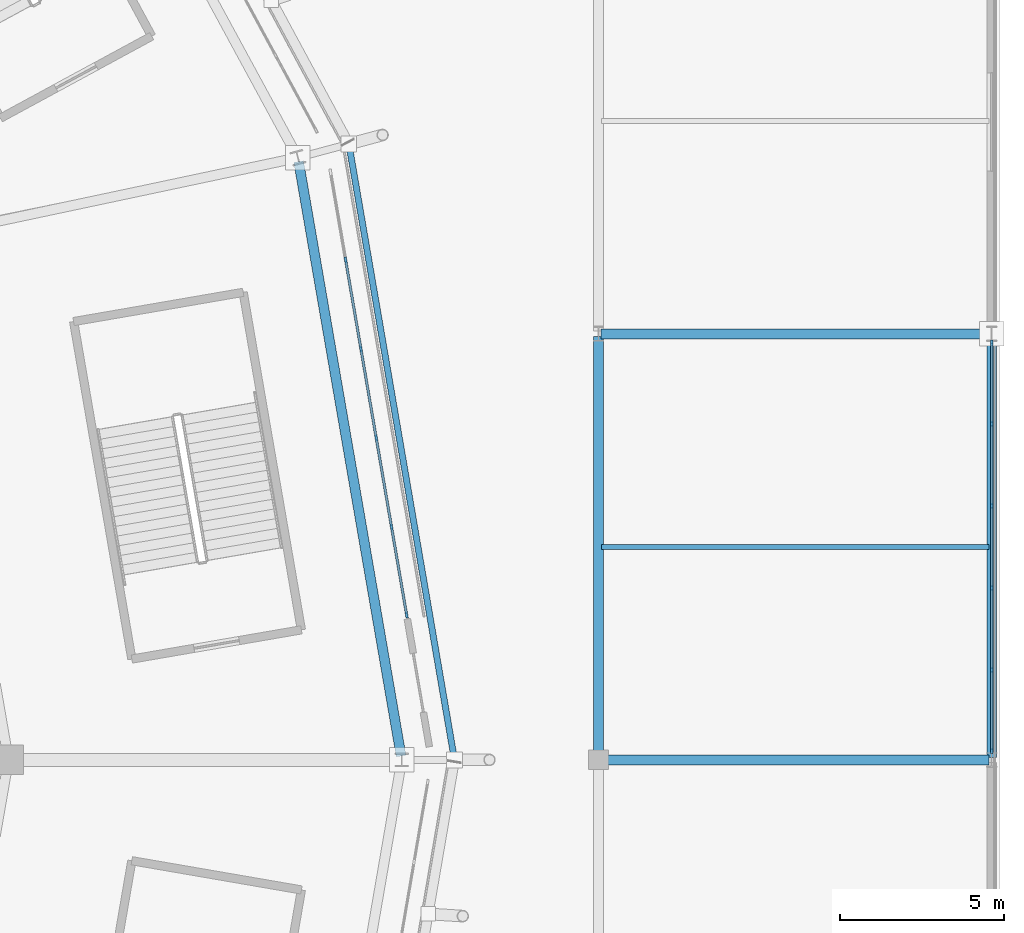
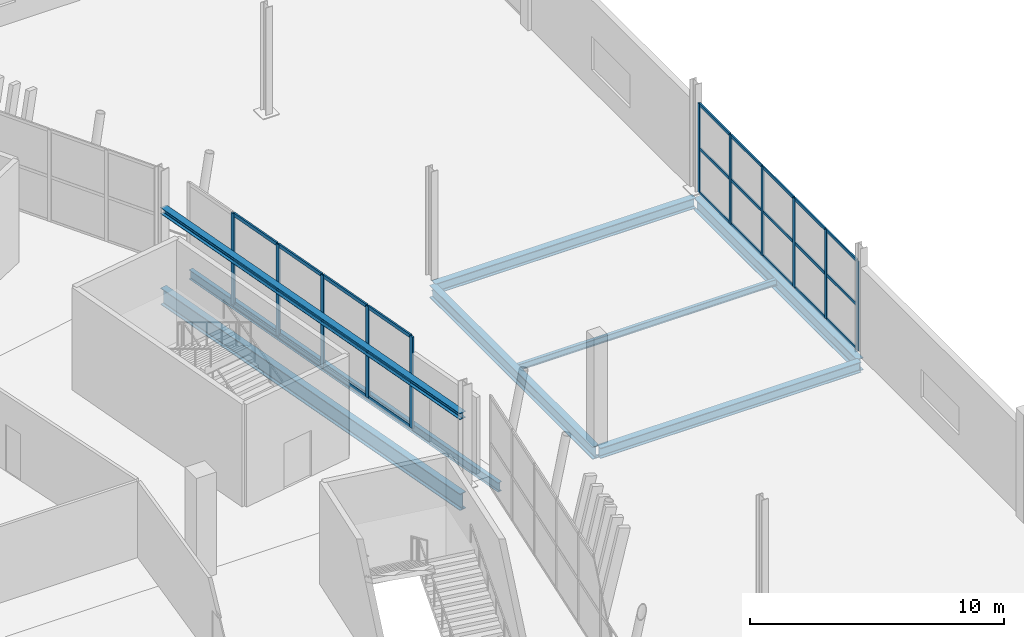
# One storey, part 65 of 178: 38 members, 8 beams, 2 elements without a shape of their own.
"""IFC4 building model written with IfcOpenShell, lengths in metres."""

from ifc_helpers import new_model, si_unit, direction, frame, origin, origin_2d, place, context, subcontext, project, spatial, rectangle, i_section, extrude, material, material_profile, profile_set, type_object, element, aggregate, save


model = new_model("IFC4")

# Units and contexts
model_context = context("Model", 3, precision=1e-05, world=origin(), true_north=direction((0.0, 1.0)))
body_context = subcontext(model_context, "Body", "Model", "MODEL_VIEW")
ifc_project = project(units=[si_unit("LENGTHUNIT", "METRE"), si_unit("AREAUNIT", "SQUARE_METRE"), si_unit("VOLUMEUNIT", "CUBIC_METRE"), si_unit("PLANEANGLEUNIT", "RADIAN"), si_unit("MASSUNIT", "GRAM", prefix="KILO")], contexts=[model_context])

# Site, building, storey
site_placement = place(None, origin())
site = spatial("IfcSite", under=ifc_project, at=site_placement, CompositionType="ELEMENT")
building_placement = place(site_placement, origin())
building = spatial("IfcBuilding", under=site, at=building_placement, Name="Zlatoyarsky Gate Stadium", CompositionType="ELEMENT")
storey_placement = place(building_placement, frame((0.0, 0.0, 5.39990234375)))
storey = spatial("IfcBuildingStorey", under=building, at=storey_placement, Name="L01", CompositionType="ELEMENT", Elevation=5.39990234375)

# Curtain wall, members
ifc_material_1 = material(Name="Thermally broken anodised aluminium curtain wall", Category="aluminium")
curtain_wall_type_1 = type_object("IfcCurtainWallType", Name="MONUMENTAL ARCHED GATE GLAZING LOWER", PredefinedType="USERDEFINED", material=ifc_material_1)
curtain_wall_1_placement = place(storey_placement, origin())
curtain_wall_1 = element("IfcCurtainWall", 1, at=curtain_wall_1_placement, inside=storey, type_object=curtain_wall_type_1, Name="Curtain wall CW-L01-00", ObjectType="ARCHED GATE GLAZING", PredefinedType="USERDEFINED")
ifc_material_2 = material(Name="Anodised aluminium 6063-T6", Category="aluminium")
ifc_material_profile_1 = material_profile(ifc_material_2, rectangle(XDim=0.074951171875, YDim=0.18994140625, at=origin_2d()), Name="ALU 75X190")
ifc_profile_set_1 = profile_set([ifc_material_profile_1], Name="Anodised aluminium 6063-T6")
member_type_1 = type_object("IfcMemberType", Name="ALUMINIUM GATE MULLION 75X190", PredefinedType="MULLION", material=ifc_profile_set_1)
member_1_placement = place(storey_placement, frame((204.148193359375, 84.422607421875, 0.0), z_axis=(0.0, 0.0, 1.0), x_axis=(-0.985538462082, -0.169451880356, 0.0)))
member_1 = element("IfcMember", 2, at=member_1_placement, type_object=member_type_1, Name="CW-AG1 mullion 1", PredefinedType="MULLION", context=body_context, shape_type="SweptSolid", body=[
    extrude(rectangle(XDim=0.074951171875, YDim=0.18994140625, at=origin_2d()), origin(), (0.0, 0.0, 1.0), 4.400146484375),
])
member_2_placement = place(storey_placement, frame((203.687255859375, 87.1025390625, 0.0), z_axis=(0.0, 0.0, 1.0), x_axis=(-0.985538462082, -0.169451880356, 0.0)))
member_2 = element("IfcMember", 3, at=member_2_placement, type_object=member_type_1, Name="CW-AG1 mullion 2", PredefinedType="MULLION", context=body_context, shape_type="SweptSolid", body=[
    extrude(rectangle(XDim=0.074951171875, YDim=0.18994140625, at=origin_2d()), origin(), (0.0, 0.0, 1.0), 4.400146484375),
])
member_3_placement = place(storey_placement, frame((203.22021484375, 89.819580078125, 0.0), z_axis=(0.0, 0.0, 1.0), x_axis=(-0.985538462082, -0.169451880356, 0.0)))
member_3 = element("IfcMember", 4, at=member_3_placement, type_object=member_type_1, Name="CW-AG1 mullion 3", PredefinedType="MULLION", context=body_context, shape_type="SweptSolid", body=[
    extrude(rectangle(XDim=0.074951171875, YDim=0.18994140625, at=origin_2d()), origin(), (0.0, 0.0, 1.0), 4.400146484375),
])
member_4_placement = place(storey_placement, frame((202.7529296875, 92.53662109375, 0.0), z_axis=(0.0, 0.0, 1.0), x_axis=(-0.985538462082, -0.169451880356, 0.0)))
member_4 = element("IfcMember", 5, at=member_4_placement, type_object=member_type_1, Name="CW-AG1 mullion 4", PredefinedType="MULLION", context=body_context, shape_type="SweptSolid", body=[
    extrude(rectangle(XDim=0.074951171875, YDim=0.18994140625, at=origin_2d()), origin(), (0.0, 0.0, 1.0), 4.400146484375),
])
member_5_placement = place(storey_placement, frame((202.285888671875, 95.253662109375, 0.0), z_axis=(0.0, 0.0, 1.0), x_axis=(-0.985538462082, -0.169451880356, 0.0)))
member_5 = element("IfcMember", 6, at=member_5_placement, type_object=member_type_1, Name="CW-AG1 mullion 5", PredefinedType="MULLION", context=body_context, shape_type="SweptSolid", body=[
    extrude(rectangle(XDim=0.074951171875, YDim=0.18994140625, at=origin_2d()), origin(), (0.0, 0.0, 1.0), 4.400146484375),
])
ifc_material_profile_2 = material_profile(ifc_material_2, rectangle(XDim=0.074951171875, YDim=0.169921875, at=origin_2d()), Name="ALU 75X170")
ifc_profile_set_2 = profile_set([ifc_material_profile_2], Name="Anodised aluminium 6063-T6")
member_type_2 = type_object("IfcMemberType", Name="ALUMINIUM GATE TRANSOM 75X170", PredefinedType="USERDEFINED", material=ifc_profile_set_2)
member_6_placement = place(storey_placement, frame((204.141845703125, 84.45947265625, 0.03759765625), z_axis=(-0.169501903761, 0.985529859832, 0.0), x_axis=(-0.985529859832, -0.169501903761, 0.0)))
member_6 = element("IfcMember", 7, at=member_6_placement, type_object=member_type_2, Name="CW-AG1 transom 1.1", ObjectType="TRANSOM", PredefinedType="USERDEFINED", context=body_context, shape_type="SweptSolid", body=[
    extrude(rectangle(XDim=0.074951171875, YDim=0.169921875, at=origin_2d()), origin(), (0.0, 0.0, 1.0), 2.64453125),
])
member_7_placement = place(storey_placement, frame((204.141845703125, 84.45947265625, 2.150146484375), z_axis=(-0.169501903761, 0.985529859832, 0.0), x_axis=(-0.985529859832, -0.169501903761, 0.0)))
member_7 = element("IfcMember", 8, at=member_7_placement, type_object=member_type_2, Name="CW-AG1 transom 1.2", ObjectType="TRANSOM", PredefinedType="USERDEFINED", context=body_context, shape_type="SweptSolid", body=[
    extrude(rectangle(XDim=0.074951171875, YDim=0.169921875, at=origin_2d()), origin(), (0.0, 0.0, 1.0), 2.64453125),
])
member_8_placement = place(storey_placement, frame((204.141845703125, 84.45947265625, 4.362548828125), z_axis=(-0.169501903761, 0.985529859832, 0.0), x_axis=(-0.985529859832, -0.169501903761, 0.0)))
member_8 = element("IfcMember", 9, at=member_8_placement, type_object=member_type_2, Name="CW-AG1 transom 1.3", ObjectType="TRANSOM", PredefinedType="USERDEFINED", context=body_context, shape_type="SweptSolid", body=[
    extrude(rectangle(XDim=0.074951171875, YDim=0.169921875, at=origin_2d()), origin(), (0.0, 0.0, 1.0), 2.64453125),
])
member_9_placement = place(storey_placement, frame((203.680908203125, 87.1396484375, 0.03759765625), z_axis=(-0.169416084478, 0.985544616098, 0.0), x_axis=(-0.985544616098, -0.169416084478, 0.0)))
member_9 = element("IfcMember", 10, at=member_9_placement, type_object=member_type_2, Name="CW-AG1 transom 2.1", ObjectType="TRANSOM", PredefinedType="USERDEFINED", context=body_context, shape_type="SweptSolid", body=[
    extrude(rectangle(XDim=0.074951171875, YDim=0.169921875, at=origin_2d()), origin(), (0.0, 0.0, 1.0), 2.681884765625),
])
member_10_placement = place(storey_placement, frame((203.680908203125, 87.1396484375, 2.150146484375), z_axis=(-0.169416084478, 0.985544616098, 0.0), x_axis=(-0.985544616098, -0.169416084478, 0.0)))
member_10 = element("IfcMember", 11, at=member_10_placement, type_object=member_type_2, Name="CW-AG1 transom 2.2", ObjectType="TRANSOM", PredefinedType="USERDEFINED", context=body_context, shape_type="SweptSolid", body=[
    extrude(rectangle(XDim=0.074951171875, YDim=0.169921875, at=origin_2d()), origin(), (0.0, 0.0, 1.0), 2.681884765625),
])
member_11_placement = place(storey_placement, frame((203.680908203125, 87.1396484375, 4.362548828125), z_axis=(-0.169416084478, 0.985544616098, 0.0), x_axis=(-0.985544616098, -0.169416084478, 0.0)))
member_11 = element("IfcMember", 12, at=member_11_placement, type_object=member_type_2, Name="CW-AG1 transom 2.3", ObjectType="TRANSOM", PredefinedType="USERDEFINED", context=body_context, shape_type="SweptSolid", body=[
    extrude(rectangle(XDim=0.074951171875, YDim=0.169921875, at=origin_2d()), origin(), (0.0, 0.0, 1.0), 2.681884765625),
])
member_12_placement = place(storey_placement, frame((203.2138671875, 89.856689453125, 0.03759765625), z_axis=(-0.169504504536, 0.98552941252, 0.0), x_axis=(-0.98552941252, -0.169504504536, 0.0)))
member_12 = element("IfcMember", 13, at=member_12_placement, type_object=member_type_2, Name="CW-AG1 transom 3.1", ObjectType="TRANSOM", PredefinedType="USERDEFINED", context=body_context, shape_type="SweptSolid", body=[
    extrude(rectangle(XDim=0.074951171875, YDim=0.169921875, at=origin_2d()), origin(), (0.0, 0.0, 1.0), 2.681884765625),
])
member_13_placement = place(storey_placement, frame((203.2138671875, 89.856689453125, 2.150146484375), z_axis=(-0.169504504536, 0.98552941252, 0.0), x_axis=(-0.98552941252, -0.169504504536, 0.0)))
member_13 = element("IfcMember", 14, at=member_13_placement, type_object=member_type_2, Name="CW-AG1 transom 3.2", ObjectType="TRANSOM", PredefinedType="USERDEFINED", context=body_context, shape_type="SweptSolid", body=[
    extrude(rectangle(XDim=0.074951171875, YDim=0.169921875, at=origin_2d()), origin(), (0.0, 0.0, 1.0), 2.681884765625),
])
member_14_placement = place(storey_placement, frame((203.2138671875, 89.856689453125, 4.362548828125), z_axis=(-0.169504504536, 0.98552941252, 0.0), x_axis=(-0.98552941252, -0.169504504536, 0.0)))
member_14 = element("IfcMember", 15, at=member_14_placement, type_object=member_type_2, Name="CW-AG1 transom 3.3", ObjectType="TRANSOM", PredefinedType="USERDEFINED", context=body_context, shape_type="SweptSolid", body=[
    extrude(rectangle(XDim=0.074951171875, YDim=0.169921875, at=origin_2d()), origin(), (0.0, 0.0, 1.0), 2.681884765625),
])
member_15_placement = place(storey_placement, frame((202.74658203125, 92.57373046875, 0.03759765625), z_axis=(-0.169416084478, 0.985544616098, 0.0), x_axis=(-0.985544616098, -0.169416084478, 0.0)))
member_15 = element("IfcMember", 16, at=member_15_placement, type_object=member_type_2, Name="CW-AG1 transom 4.1", ObjectType="TRANSOM", PredefinedType="USERDEFINED", context=body_context, shape_type="SweptSolid", body=[
    extrude(rectangle(XDim=0.074951171875, YDim=0.169921875, at=origin_2d()), origin(), (0.0, 0.0, 1.0), 2.681884765625),
])
member_16_placement = place(storey_placement, frame((202.74658203125, 92.57373046875, 2.150146484375), z_axis=(-0.169416084478, 0.985544616098, 0.0), x_axis=(-0.985544616098, -0.169416084478, 0.0)))
member_16 = element("IfcMember", 17, at=member_16_placement, type_object=member_type_2, Name="CW-AG1 transom 4.2", ObjectType="TRANSOM", PredefinedType="USERDEFINED", context=body_context, shape_type="SweptSolid", body=[
    extrude(rectangle(XDim=0.074951171875, YDim=0.169921875, at=origin_2d()), origin(), (0.0, 0.0, 1.0), 2.681884765625),
])
member_17_placement = place(storey_placement, frame((202.74658203125, 92.57373046875, 4.362548828125), z_axis=(-0.169416084478, 0.985544616098, 0.0), x_axis=(-0.985544616098, -0.169416084478, 0.0)))
member_17 = element("IfcMember", 18, at=member_17_placement, type_object=member_type_2, Name="CW-AG1 transom 4.3", ObjectType="TRANSOM", PredefinedType="USERDEFINED", context=body_context, shape_type="SweptSolid", body=[
    extrude(rectangle(XDim=0.074951171875, YDim=0.169921875, at=origin_2d()), origin(), (0.0, 0.0, 1.0), 2.681884765625),
])
aggregate(curtain_wall_1, [member_1, member_2, member_3, member_4, member_5, member_6, member_7, member_8, member_9, member_10, member_11, member_12, member_13, member_14, member_15, member_16, member_17])

curtain_wall_type_2 = type_object("IfcCurtainWallType", Name="WINTER GARDEN CONSERVATORY GLAZING", PredefinedType="USERDEFINED", material=ifc_material_1)
curtain_wall_2_placement = place(storey_placement, origin())
curtain_wall_2 = element("IfcCurtainWall", 19, at=curtain_wall_2_placement, inside=storey, type_object=curtain_wall_type_2, Name="Curtain wall CW-V5_EAST-L01-181", ObjectType="UNITISED GLAZING", PredefinedType="USERDEFINED")
ifc_material_profile_3 = material_profile(ifc_material_2, rectangle(XDim=0.06494140625, YDim=0.159912109375, at=origin_2d()), Name="ALU 65X160")
ifc_profile_set_3 = profile_set([ifc_material_profile_3], Name="Anodised aluminium 6063-T6")
member_type_3 = type_object("IfcMemberType", Name="ALUMINIUM MULLION 65X160", PredefinedType="MULLION", material=ifc_profile_set_3)
member_18_placement = place(storey_placement, frame((222.0, 80.26953125, 0.0), z_axis=(0.0, 0.0, 1.0), x_axis=(-1.0, 0.0, 0.0)))
member_18 = element("IfcMember", 20, at=member_18_placement, type_object=member_type_3, Name="CW-WG1 mullion 1", PredefinedType="MULLION", context=body_context, shape_type="SweptSolid", body=[
    extrude(rectangle(XDim=0.06494140625, YDim=0.159912109375, at=origin_2d()), origin(), (0.0, 0.0, 1.0), 4.300048828125),
])
member_19_placement = place(storey_placement, frame((222.0, 82.7421875, 0.0), z_axis=(0.0, 0.0, 1.0), x_axis=(-1.0, 0.0, 0.0)))
member_19 = element("IfcMember", 21, at=member_19_placement, type_object=member_type_3, Name="CW-WG1 mullion 2", PredefinedType="MULLION", context=body_context, shape_type="SweptSolid", body=[
    extrude(rectangle(XDim=0.06494140625, YDim=0.159912109375, at=origin_2d()), origin(), (0.0, 0.0, 1.0), 4.300048828125),
])
member_20_placement = place(storey_placement, frame((222.0, 85.247314453125, 0.0), z_axis=(0.0, 0.0, 1.0), x_axis=(-1.0, 0.0, 0.0)))
member_20 = element("IfcMember", 22, at=member_20_placement, type_object=member_type_3, Name="CW-WG1 mullion 3", PredefinedType="MULLION", context=body_context, shape_type="SweptSolid", body=[
    extrude(rectangle(XDim=0.06494140625, YDim=0.159912109375, at=origin_2d()), origin(), (0.0, 0.0, 1.0), 4.300048828125),
])
member_21_placement = place(storey_placement, frame((222.0, 87.752685546875, 0.0), z_axis=(0.0, 0.0, 1.0), x_axis=(-1.0, 0.0, 0.0)))
member_21 = element("IfcMember", 23, at=member_21_placement, type_object=member_type_3, Name="CW-WG1 mullion 4", PredefinedType="MULLION", context=body_context, shape_type="SweptSolid", body=[
    extrude(rectangle(XDim=0.06494140625, YDim=0.159912109375, at=origin_2d()), origin(), (0.0, 0.0, 1.0), 4.300048828125),
])
member_22_placement = place(storey_placement, frame((222.0, 90.2578125, 0.0), z_axis=(0.0, 0.0, 1.0), x_axis=(-1.0, 0.0, 0.0)))
member_22 = element("IfcMember", 24, at=member_22_placement, type_object=member_type_3, Name="CW-WG1 mullion 5", PredefinedType="MULLION", context=body_context, shape_type="SweptSolid", body=[
    extrude(rectangle(XDim=0.06494140625, YDim=0.159912109375, at=origin_2d()), origin(), (0.0, 0.0, 1.0), 4.300048828125),
])
member_23_placement = place(storey_placement, frame((222.0, 92.73046875, 0.0), z_axis=(0.0, 0.0, 1.0), x_axis=(-1.0, 0.0, 0.0)))
member_23 = element("IfcMember", 25, at=member_23_placement, type_object=member_type_3, Name="CW-WG1 mullion 6", PredefinedType="MULLION", context=body_context, shape_type="SweptSolid", body=[
    extrude(rectangle(XDim=0.06494140625, YDim=0.159912109375, at=origin_2d()), origin(), (0.0, 0.0, 1.0), 4.300048828125),
])
ifc_material_profile_4 = material_profile(ifc_material_2, rectangle(XDim=0.06494140625, YDim=0.139892578125, at=origin_2d()), Name="ALU 65X140")
ifc_profile_set_4 = profile_set([ifc_material_profile_4], Name="Anodised aluminium 6063-T6")
member_type_4 = type_object("IfcMemberType", Name="ALUMINIUM TRANSOM 65X140", PredefinedType="USERDEFINED", material=ifc_profile_set_4)
member_24_placement = place(storey_placement, frame((222.0, 80.302001953125, 0.03271484375), z_axis=(0.0, 1.0, 0.0), x_axis=(-1.0, 0.0, 0.0)))
member_24 = element("IfcMember", 26, at=member_24_placement, type_object=member_type_4, Name="CW-WG1 transom 1.1", ObjectType="TRANSOM", PredefinedType="USERDEFINED", context=body_context, shape_type="SweptSolid", body=[
    extrude(rectangle(XDim=0.06494140625, YDim=0.139892578125, at=origin_2d()), origin(), (0.0, 0.0, 1.0), 2.40771484375),
])
member_25_placement = place(storey_placement, frame((222.0, 80.302001953125, 2.150146484375), z_axis=(0.0, 1.0, 0.0), x_axis=(-1.0, 0.0, 0.0)))
member_25 = element("IfcMember", 27, at=member_25_placement, type_object=member_type_4, Name="CW-WG1 transom 1.2", ObjectType="TRANSOM", PredefinedType="USERDEFINED", context=body_context, shape_type="SweptSolid", body=[
    extrude(rectangle(XDim=0.06494140625, YDim=0.139892578125, at=origin_2d()), origin(), (0.0, 0.0, 1.0), 2.40771484375),
])
member_26_placement = place(storey_placement, frame((222.0, 80.302001953125, 4.267578125), z_axis=(0.0, 1.0, 0.0), x_axis=(-1.0, 0.0, 0.0)))
member_26 = element("IfcMember", 28, at=member_26_placement, type_object=member_type_4, Name="CW-WG1 transom 1.3", ObjectType="TRANSOM", PredefinedType="USERDEFINED", context=body_context, shape_type="SweptSolid", body=[
    extrude(rectangle(XDim=0.06494140625, YDim=0.139892578125, at=origin_2d()), origin(), (0.0, 0.0, 1.0), 2.40771484375),
])
member_27_placement = place(storey_placement, frame((222.0, 82.774658203125, 0.03271484375), z_axis=(0.0, 1.0, 0.0), x_axis=(-1.0, 0.0, 0.0)))
member_27 = element("IfcMember", 29, at=member_27_placement, type_object=member_type_4, Name="CW-WG1 transom 2.1", ObjectType="TRANSOM", PredefinedType="USERDEFINED", context=body_context, shape_type="SweptSolid", body=[
    extrude(rectangle(XDim=0.06494140625, YDim=0.139892578125, at=origin_2d()), origin(), (0.0, 0.0, 1.0), 2.440185546875),
])
member_28_placement = place(storey_placement, frame((222.0, 82.774658203125, 2.150146484375), z_axis=(0.0, 1.0, 0.0), x_axis=(-1.0, 0.0, 0.0)))
member_28 = element("IfcMember", 30, at=member_28_placement, type_object=member_type_4, Name="CW-WG1 transom 2.2", ObjectType="TRANSOM", PredefinedType="USERDEFINED", context=body_context, shape_type="SweptSolid", body=[
    extrude(rectangle(XDim=0.06494140625, YDim=0.139892578125, at=origin_2d()), origin(), (0.0, 0.0, 1.0), 2.440185546875),
])
member_29_placement = place(storey_placement, frame((222.0, 82.774658203125, 4.267578125), z_axis=(0.0, 1.0, 0.0), x_axis=(-1.0, 0.0, 0.0)))
member_29 = element("IfcMember", 31, at=member_29_placement, type_object=member_type_4, Name="CW-WG1 transom 2.3", ObjectType="TRANSOM", PredefinedType="USERDEFINED", context=body_context, shape_type="SweptSolid", body=[
    extrude(rectangle(XDim=0.06494140625, YDim=0.139892578125, at=origin_2d()), origin(), (0.0, 0.0, 1.0), 2.440185546875),
])
member_30_placement = place(storey_placement, frame((222.0, 85.27978515625, 0.03271484375), z_axis=(0.0, 1.0, 0.0), x_axis=(-1.0, 0.0, 0.0)))
member_30 = element("IfcMember", 32, at=member_30_placement, type_object=member_type_4, Name="CW-WG1 transom 3.1", ObjectType="TRANSOM", PredefinedType="USERDEFINED", context=body_context, shape_type="SweptSolid", body=[
    extrude(rectangle(XDim=0.06494140625, YDim=0.139892578125, at=origin_2d()), origin(), (0.0, 0.0, 1.0), 2.4404296875),
])
member_31_placement = place(storey_placement, frame((222.0, 85.27978515625, 2.150146484375), z_axis=(0.0, 1.0, 0.0), x_axis=(-1.0, 0.0, 0.0)))
member_31 = element("IfcMember", 33, at=member_31_placement, type_object=member_type_4, Name="CW-WG1 transom 3.2", ObjectType="TRANSOM", PredefinedType="USERDEFINED", context=body_context, shape_type="SweptSolid", body=[
    extrude(rectangle(XDim=0.06494140625, YDim=0.139892578125, at=origin_2d()), origin(), (0.0, 0.0, 1.0), 2.4404296875),
])
member_32_placement = place(storey_placement, frame((222.0, 85.27978515625, 4.267578125), z_axis=(0.0, 1.0, 0.0), x_axis=(-1.0, 0.0, 0.0)))
member_32 = element("IfcMember", 34, at=member_32_placement, type_object=member_type_4, Name="CW-WG1 transom 3.3", ObjectType="TRANSOM", PredefinedType="USERDEFINED", context=body_context, shape_type="SweptSolid", body=[
    extrude(rectangle(XDim=0.06494140625, YDim=0.139892578125, at=origin_2d()), origin(), (0.0, 0.0, 1.0), 2.4404296875),
])
member_33_placement = place(storey_placement, frame((222.0, 87.78515625, 0.03271484375), z_axis=(0.0, 1.0, 0.0), x_axis=(-1.0, 0.0, 0.0)))
member_33 = element("IfcMember", 35, at=member_33_placement, type_object=member_type_4, Name="CW-WG1 transom 4.1", ObjectType="TRANSOM", PredefinedType="USERDEFINED", context=body_context, shape_type="SweptSolid", body=[
    extrude(rectangle(XDim=0.06494140625, YDim=0.139892578125, at=origin_2d()), origin(), (0.0, 0.0, 1.0), 2.440185546875),
])
member_34_placement = place(storey_placement, frame((222.0, 87.78515625, 2.150146484375), z_axis=(0.0, 1.0, 0.0), x_axis=(-1.0, 0.0, 0.0)))
member_34 = element("IfcMember", 36, at=member_34_placement, type_object=member_type_4, Name="CW-WG1 transom 4.2", ObjectType="TRANSOM", PredefinedType="USERDEFINED", context=body_context, shape_type="SweptSolid", body=[
    extrude(rectangle(XDim=0.06494140625, YDim=0.139892578125, at=origin_2d()), origin(), (0.0, 0.0, 1.0), 2.440185546875),
])
member_35_placement = place(storey_placement, frame((222.0, 87.78515625, 4.267578125), z_axis=(0.0, 1.0, 0.0), x_axis=(-1.0, 0.0, 0.0)))
member_35 = element("IfcMember", 37, at=member_35_placement, type_object=member_type_4, Name="CW-WG1 transom 4.3", ObjectType="TRANSOM", PredefinedType="USERDEFINED", context=body_context, shape_type="SweptSolid", body=[
    extrude(rectangle(XDim=0.06494140625, YDim=0.139892578125, at=origin_2d()), origin(), (0.0, 0.0, 1.0), 2.440185546875),
])
member_36_placement = place(storey_placement, frame((222.0, 90.290283203125, 0.03271484375), z_axis=(0.0, 1.0, 0.0), x_axis=(-1.0, 0.0, 0.0)))
member_36 = element("IfcMember", 38, at=member_36_placement, type_object=member_type_4, Name="CW-WG1 transom 5.1", ObjectType="TRANSOM", PredefinedType="USERDEFINED", context=body_context, shape_type="SweptSolid", body=[
    extrude(rectangle(XDim=0.06494140625, YDim=0.139892578125, at=origin_2d()), origin(), (0.0, 0.0, 1.0), 2.40771484375),
])
member_37_placement = place(storey_placement, frame((222.0, 90.290283203125, 2.150146484375), z_axis=(0.0, 1.0, 0.0), x_axis=(-1.0, 0.0, 0.0)))
member_37 = element("IfcMember", 39, at=member_37_placement, type_object=member_type_4, Name="CW-WG1 transom 5.2", ObjectType="TRANSOM", PredefinedType="USERDEFINED", context=body_context, shape_type="SweptSolid", body=[
    extrude(rectangle(XDim=0.06494140625, YDim=0.139892578125, at=origin_2d()), origin(), (0.0, 0.0, 1.0), 2.40771484375),
])
member_38_placement = place(storey_placement, frame((222.0, 90.290283203125, 4.267578125), z_axis=(0.0, 1.0, 0.0), x_axis=(-1.0, 0.0, 0.0)))
member_38 = element("IfcMember", 40, at=member_38_placement, type_object=member_type_4, Name="CW-WG1 transom 5.3", ObjectType="TRANSOM", PredefinedType="USERDEFINED", context=body_context, shape_type="SweptSolid", body=[
    extrude(rectangle(XDim=0.06494140625, YDim=0.139892578125, at=origin_2d()), origin(), (0.0, 0.0, 1.0), 2.40771484375),
])
aggregate(curtain_wall_2, [member_18, member_19, member_20, member_21, member_22, member_23, member_24, member_25, member_26, member_27, member_28, member_29, member_30, member_31, member_32, member_33, member_34, member_35, member_36, member_37, member_38])

# Beams
ifc_material_3 = material(Name="Steel S355", Category="steel")
ifc_material_profile_5 = material_profile(ifc_material_3, i_section(OverallWidth=0.18994140625, OverallDepth=0.449951171875, WebThickness=0.009521484375, FlangeThickness=0.0146484375, FilletRadius=0.02099609375, at=origin_2d()), Name="IPE 450")
ifc_profile_set_5 = profile_set([ifc_material_profile_5], Name="Steel S355")
beam_type_1 = type_object("IfcBeamType", Name="STEEL EDGE SPANDREL IPE 450", PredefinedType="SPANDREL", material=ifc_profile_set_5)
beam_1_placement = place(storey_placement, frame((205.60498046875, 80.019775390625, -0.684814453125), z_axis=(-0.169066383905, 0.985604666098, 0.0), x_axis=(-0.985604666098, -0.169066383905, 0.0)))
element("IfcBeam", 41, at=beam_1_placement, inside=storey, type_object=beam_type_1, Name="Beam SP-IPE450 BM-L01-SPD-00", PredefinedType="SPANDREL", context=body_context, shape_type="SweptSolid", body=[
    extrude(i_section(OverallWidth=0.18994140625, OverallDepth=0.449951171875, WebThickness=0.009521484375, FlangeThickness=0.0146484375, FilletRadius=0.02099609375, at=origin_2d()), origin(), (0.0, 0.0, 1.0), 19.02685546875),
])
ifc_material_profile_6 = material_profile(ifc_material_3, i_section(OverallWidth=0.300048828125, OverallDepth=0.300048828125, WebThickness=0.010986328125, FlangeThickness=0.01904296875, FilletRadius=0.027099609375, at=origin_2d()), Name="HEB 300")
ifc_profile_set_6 = profile_set([ifc_material_profile_6], Name="Steel S355")
beam_type_2 = type_object("IfcBeamType", Name="STEEL GATE LINTEL HEB 300", PredefinedType="LINTEL", material=ifc_profile_set_6)
beam_2_placement = place(storey_placement, frame((203.9794921875, 80.118408203125, 3.25), z_axis=(-0.169930456666, 0.985456056807, 0.0), x_axis=(-0.985456056807, -0.169930456666, 0.0)))
element("IfcBeam", 42, at=beam_2_placement, inside=storey, type_object=beam_type_2, Name="Beam LN-HEB300 BM-L01-LNT-00", PredefinedType="LINTEL", context=body_context, shape_type="SweptSolid", body=[
    extrude(i_section(OverallWidth=0.300048828125, OverallDepth=0.300048828125, WebThickness=0.010986328125, FlangeThickness=0.01904296875, FilletRadius=0.027099609375, at=origin_2d()), origin(), (0.0, 0.0, 1.0), 18.4072265625),
])
ifc_material_profile_7 = material_profile(ifc_material_3, i_section(OverallWidth=0.300048828125, OverallDepth=0.5, WebThickness=0.014404296875, FlangeThickness=0.028076171875, FilletRadius=0.027099609375, at=origin_2d()), Name="HEB 500")
ifc_profile_set_7 = profile_set([ifc_material_profile_7], Name="Steel S355")
beam_type_3 = type_object("IfcBeamType", Name="STEEL PRIMARY GIRDER HEB 500", PredefinedType="BEAM", material=ifc_profile_set_7)
for number, where, z_axis, x_axis, name in (
    (43, (210.080078125, 80.0, -0.5498046875), (1.0, 0.0, 0.0), (0.0, 1.0, 0.0), "Beam G-HEB500 BM-L01-WGX-18-H"),
    (44, (210.080078125, 93.0, -0.5498046875), (1.0, 0.0, 0.0), (0.0, 1.0, 0.0), "Beam G-HEB500 BM-L01-WGX-18-J"),
):
    element("IfcBeam", number, at=place(storey_placement, frame(where, z_axis=z_axis, x_axis=x_axis)), inside=storey, type_object=beam_type_3, Name=name, PredefinedType="BEAM", context=body_context, shape_type="SweptSolid", body=[
        extrude(i_section(OverallWidth=0.300048828125, OverallDepth=0.5, WebThickness=0.014404296875, FlangeThickness=0.028076171875, FilletRadius=0.027099609375, at=origin_2d()), origin(), (0.0, 0.0, 1.0), 11.83984375),
    ])
ifc_material_profile_8 = material_profile(ifc_material_3, i_section(OverallWidth=0.300048828125, OverallDepth=0.60009765625, WebThickness=0.015380859375, FlangeThickness=0.030029296875, FilletRadius=0.027099609375, at=origin_2d()), Name="HEB 600")
ifc_profile_set_8 = profile_set([ifc_material_profile_8], Name="Steel S355")
beam_type_4 = type_object("IfcBeamType", Name="STEEL PRIMARY GIRDER HEB 600", PredefinedType="BEAM", material=ifc_profile_set_8)
for number, where, z_axis, x_axis, name in (
    (45, (210.0, 80.080078125, -0.599853515625), (0.0, 1.0, 0.0), (-1.0, 0.0, 0.0), "Beam G-HEB600 BM-L01-WGY-18-H"),
    (46, (222.0, 80.080078125, -0.599853515625), (0.0, 1.0, 0.0), (-1.0, 0.0, 0.0), "Beam G-HEB600 BM-L01-WGY-19-H"),
):
    element("IfcBeam", number, at=place(storey_placement, frame(where, z_axis=z_axis, x_axis=x_axis)), inside=storey, type_object=beam_type_4, Name=name, PredefinedType="BEAM", context=body_context, shape_type="SweptSolid", body=[
        extrude(i_section(OverallWidth=0.300048828125, OverallDepth=0.60009765625, WebThickness=0.015380859375, FlangeThickness=0.030029296875, FilletRadius=0.027099609375, at=origin_2d()), origin(), (0.0, 0.0, 1.0), 12.83984375),
    ])
ifc_material_profile_9 = material_profile(ifc_material_3, i_section(OverallWidth=0.300048828125, OverallDepth=0.800048828125, WebThickness=0.017578125, FlangeThickness=0.032958984375, FilletRadius=0.030029296875, at=origin_2d()), Name="HEB 800")
ifc_profile_set_9 = profile_set([ifc_material_profile_9], Name="Steel S355")
beam_type_5 = type_object("IfcBeamType", Name="STEEL PRIMARY GIRDER HEB 800", PredefinedType="BEAM", material=ifc_profile_set_9)
beam_3_placement = place(storey_placement, frame((203.9794921875, 80.118408203125, -0.85986328125), z_axis=(-0.169930456666, 0.985456056807, 0.0), x_axis=(-0.985456056807, -0.169930456666, 0.0)))
element("IfcBeam", 47, at=beam_3_placement, inside=storey, type_object=beam_type_5, Name="Beam G-HEB800 BM-L01-CRC-00", PredefinedType="BEAM", context=body_context, shape_type="SweptSolid", body=[
    extrude(i_section(OverallWidth=0.300048828125, OverallDepth=0.800048828125, WebThickness=0.017578125, FlangeThickness=0.032958984375, FilletRadius=0.030029296875, at=origin_2d()), origin(), (0.0, 0.0, 1.0), 18.4072265625),
])
ifc_material_profile_10 = material_profile(ifc_material_3, i_section(OverallWidth=0.14990234375, OverallDepth=0.300048828125, WebThickness=0.007080078125, FlangeThickness=0.0107421875, FilletRadius=0.014892578125, at=origin_2d()), Name="IPE 300")
ifc_profile_set_10 = profile_set([ifc_material_profile_10], Name="Steel S355")
beam_type_6 = type_object("IfcBeamType", Name="STEEL SECONDARY JOIST IPE 300", PredefinedType="JOIST", material=ifc_profile_set_10)
beam_4_placement = place(storey_placement, frame((210.090087890625, 86.5, -0.449951171875), z_axis=(1.0, 0.0, 0.0), x_axis=(0.0, 1.0, 0.0)))
element("IfcBeam", 48, at=beam_4_placement, inside=storey, type_object=beam_type_6, Name="Beam J-IPE300 JST-L01-18-H", PredefinedType="JOIST", context=body_context, shape_type="SweptSolid", body=[
    extrude(i_section(OverallWidth=0.14990234375, OverallDepth=0.300048828125, WebThickness=0.007080078125, FlangeThickness=0.0107421875, FilletRadius=0.014892578125, at=origin_2d()), origin(), (0.0, 0.0, 1.0), 11.81982421875),
])

save(model, "model.ifc")
